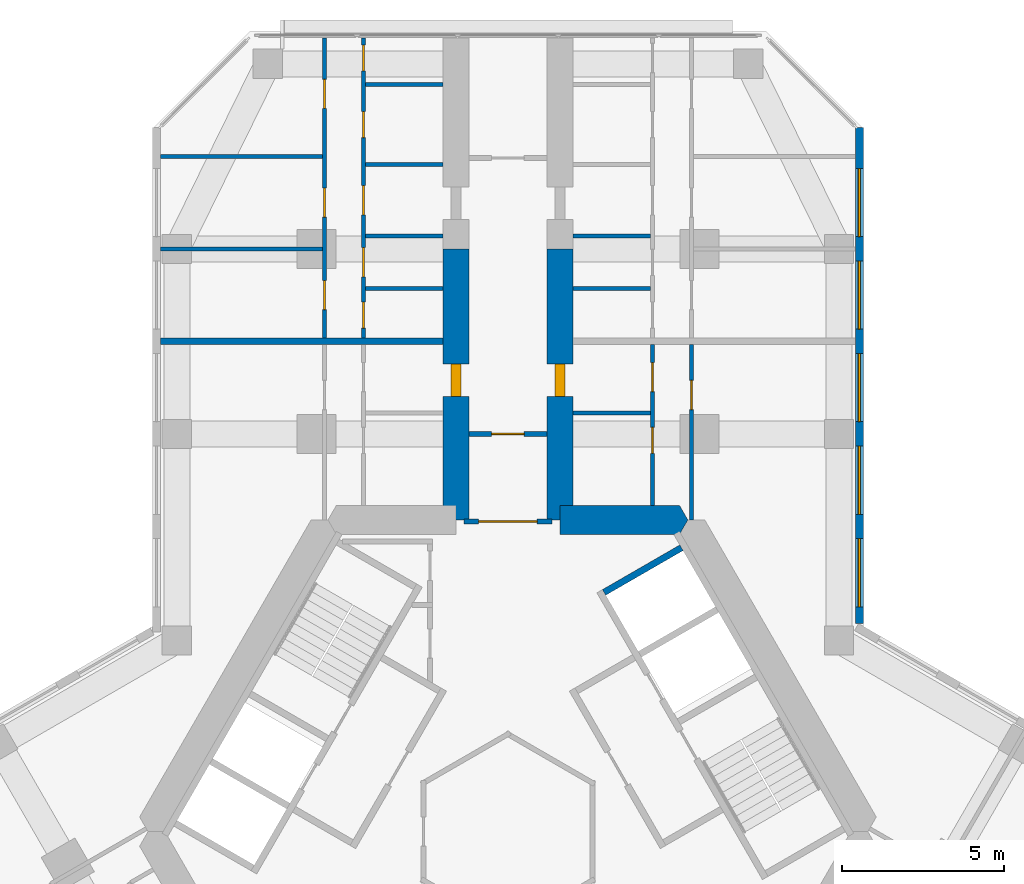
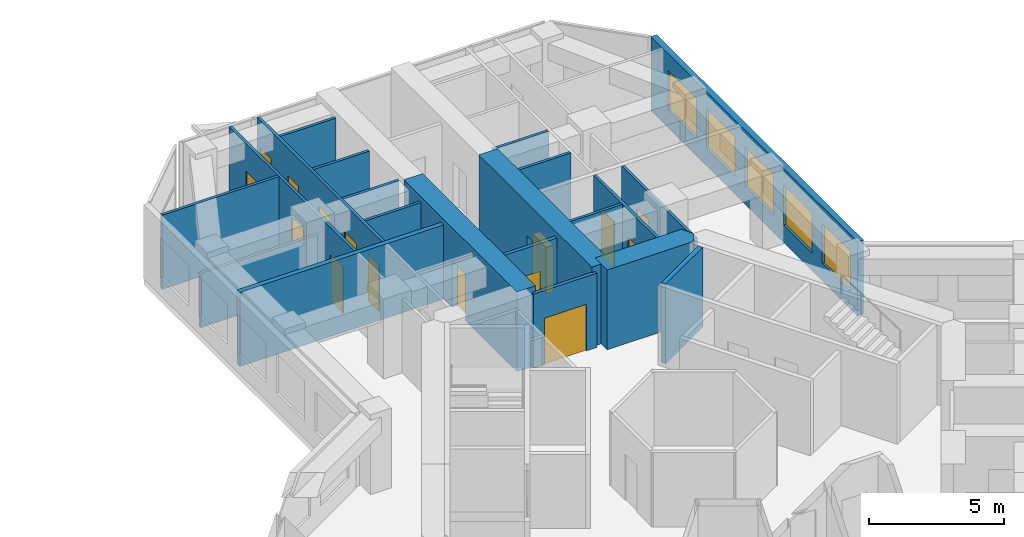
# One storey, part 17 of 19: 21 walls, 15 doors, 5 windows, 20 openings.
"""IFC4 building model written with IfcOpenShell, lengths in metres."""

from ifc_helpers import new_model, si_unit, direction, frame, frame_2d, origin, place, context, subcontext, project, spatial, polyline, rectangle, outline, extrude, material, layer, layer_set, type_object, element, fill, save


model = new_model("IFC4")

# Units and contexts
model_context = context("Model", 3, precision=1e-05, world=origin(), true_north=direction((0.0, 1.0)))
body_context = subcontext(model_context, "Body", "Model", "MODEL_VIEW")
ifc_project = project(units=[si_unit("LENGTHUNIT", "METRE"), si_unit("AREAUNIT", "SQUARE_METRE"), si_unit("VOLUMEUNIT", "CUBIC_METRE"), si_unit("PLANEANGLEUNIT", "RADIAN"), si_unit("MASSUNIT", "GRAM", prefix="KILO")], contexts=[model_context])

# Site, building, storey
site_placement = place(None, origin())
site = spatial("IfcSite", under=ifc_project, at=site_placement, CompositionType="ELEMENT")
building_placement = place(site_placement, origin())
building = spatial("IfcBuilding", under=site, at=building_placement, Name="Kosmar Iwan School Tower", CompositionType="ELEMENT")
storey_placement = place(building_placement, frame((0.0, 0.0, 168.800048828125)))
storey = spatial("IfcBuildingStorey", under=building, at=storey_placement, Name="L42", CompositionType="ELEMENT", Elevation=168.800048828125)

# Wall
ifc_material_1 = material(Name="Concrete C50/60", Category="concrete")
ifc_layer_1 = layer(ifc_material_1, 0.89990234375)
ifc_layer_set_1 = layer_set([ifc_layer_1], Name="Core wall 900")
wall_type_1 = type_object("IfcWallType", Name="Core wall 900", PredefinedType="SHEAR", material=ifc_layer_set_1)
wall_1_placement = place(storey_placement, origin())
element("IfcWall", 1, at=wall_1_placement, inside=storey, type_object=wall_type_1, Name="Core wall F090a", PredefinedType="SHEAR", context=body_context, shape_type="SweptSolid", body=[
    extrude(outline(polyline([(1.60009765625, 9.14990234375), (5.28271484375, 9.14990234375), (5.54248046875, 9.60009765625), (5.28271484375, 10.050048828125), (1.60009765625, 10.050048828125), (1.60009765625, 9.14990234375)])), origin(), (0.0, 0.0, 1.0), 3.599853515625),
])

# Wall, opening, door
ifc_material_2 = material(Name="Concrete C50/60", Category="concrete")
ifc_layer_2 = layer(ifc_material_2, 0.800048828125)
ifc_layer_set_2 = layer_set([ifc_layer_2], Name="Corridor buttress wall 800")
wall_type_2 = type_object("IfcWallType", Name="Corridor buttress wall 800", PredefinedType="SHEAR", material=ifc_layer_set_2)
wall_2_placement = place(storey_placement, frame((-1.60009765625, 9.60009765625, 0.0), z_axis=(0.0, 0.0, 1.0), x_axis=(0.0, 1.0, 0.0)))
wall_2 = element("IfcWall", 2, at=wall_2_placement, inside=storey, type_object=wall_type_2, Name="Corridor wall AL", PredefinedType="SHEAR", context=body_context, shape_type="SweptSolid", body=[
    extrude(rectangle(XDim=8.349853515625, YDim=0.800048828125, at=frame_2d((4.1748046875, 0.0))), origin(), (0.0, 0.0, 1.0), 3.599853515625),
])
opening_1_placement = place(wall_2_placement, frame((3.800048828125, 0.0, 0.0)))
opening_1 = element("IfcOpeningElement", 3, at=opening_1_placement, cuts=wall_2, Name="Opening D1", PredefinedType="OPENING", context=body_context, shape_type="SweptSolid", body=[
    extrude(rectangle(XDim=1.0, YDim=2.10009765625, at=frame_2d((0.5, 1.050048828125))), frame((0.0, 0.412109375, 0.0), z_axis=(0.0, -1.0, 0.0), x_axis=(1.0, 0.0, 0.0)), (0.0, 0.0, 1.0), 0.823974609375),
])
ifc_material_3 = material(Name="Timber fire door in steel frame", Category="steel")
door_type_1 = type_object("IfcDoorType", Name="Flat entrance door 1000x2100", OperationType="SINGLE_SWING_LEFT", PredefinedType="DOOR", material=ifc_material_3)
door_1_placement = place(opening_1_placement, origin())
door_1 = element("IfcDoor", 4, at=door_1_placement, inside=storey, type_object=door_type_1, Name="Flat L42-AL1 entrance door", OperationType="SINGLE_SWING_LEFT", OverallHeight=2.10009765625, OverallWidth=1.0, PredefinedType="DOOR", context=body_context, shape_type="SweptSolid", body=[
    extrude(rectangle(XDim=1.0, YDim=2.10009765625, at=frame_2d((0.5, 1.050048828125))), frame((0.0, 0.14990234375, 0.0), z_axis=(0.0, -1.0, 0.0), x_axis=(1.0, 0.0, 0.0)), (0.0, 0.0, 1.0), 0.300048828125),
])
fill(opening_1, door_1)

wall_3_placement = place(storey_placement, frame((1.60009765625, 9.60009765625, 0.0), z_axis=(0.0, 0.0, 1.0), x_axis=(0.0, 1.0, 0.0)))
wall_3 = element("IfcWall", 5, at=wall_3_placement, inside=storey, type_object=wall_type_2, Name="Corridor wall AR", PredefinedType="SHEAR", context=body_context, shape_type="SweptSolid", body=[
    extrude(rectangle(XDim=8.349853515625, YDim=0.800048828125, at=frame_2d((4.1748046875, 0.0))), origin(), (0.0, 0.0, 1.0), 3.599853515625),
])
opening_2_placement = place(wall_3_placement, frame((3.800048828125, 0.0, 0.0)))
opening_2 = element("IfcOpeningElement", 6, at=opening_2_placement, cuts=wall_3, Name="Opening D1", PredefinedType="OPENING", context=body_context, shape_type="SweptSolid", body=[
    extrude(rectangle(XDim=1.0, YDim=2.10009765625, at=frame_2d((0.5, 1.050048828125))), frame((0.0, 0.412109375, 0.0), z_axis=(0.0, -1.0, 0.0), x_axis=(1.0, 0.0, 0.0)), (0.0, 0.0, 1.0), 0.823974609375),
])
door_2_placement = place(opening_2_placement, origin())
door_2 = element("IfcDoor", 7, at=door_2_placement, inside=storey, type_object=door_type_1, Name="Flat L42-AR1 entrance door", OperationType="SINGLE_SWING_LEFT", OverallHeight=2.10009765625, OverallWidth=1.0, PredefinedType="DOOR", context=body_context, shape_type="SweptSolid", body=[
    extrude(rectangle(XDim=1.0, YDim=2.10009765625, at=frame_2d((0.5, 1.050048828125))), frame((0.0, 0.14990234375, 0.0), z_axis=(0.0, -1.0, 0.0), x_axis=(1.0, 0.0, 0.0)), (0.0, 0.0, 1.0), 0.300048828125),
])
fill(opening_2, door_2)

ifc_material_4 = material(Name="Gypsum board on steel studs, fire-rated", Category="steel")
ifc_layer_3 = layer(ifc_material_4, 0.14990234375)
ifc_layer_set_3 = layer_set([ifc_layer_3], Name="Corridor end wall 150")
wall_type_3 = type_object("IfcWallType", Name="Corridor end wall 150", PredefinedType="PARTITIONING", material=ifc_layer_set_3)
wall_4_placement = place(storey_placement, frame((1.199951171875, 12.25, 0.0), z_axis=(0.0, 0.0, 1.0), x_axis=(-1.0, 0.0, 0.0)))
wall_4 = element("IfcWall", 8, at=wall_4_placement, inside=storey, type_object=wall_type_3, Name="Partition L42-A-HW", PredefinedType="PARTITIONING", context=body_context, shape_type="SweptSolid", body=[
    extrude(rectangle(XDim=2.39990234375, YDim=0.14990234375, at=frame_2d((1.199951171875, 0.0))), origin(), (0.0, 0.0, 1.0), 3.349853515625),
])
opening_3_placement = place(wall_4_placement, frame((0.699951171875, 0.0, 0.0)))
opening_3 = element("IfcOpeningElement", 9, at=opening_3_placement, cuts=wall_4, Name="Opening D13", PredefinedType="OPENING", context=body_context, shape_type="SweptSolid", body=[
    extrude(rectangle(XDim=1.0, YDim=2.10009765625, at=frame_2d((0.5, 1.050048828125))), frame((0.0, 0.0869140625, 0.0), z_axis=(0.0, -1.0, 0.0), x_axis=(1.0, 0.0, 0.0)), (0.0, 0.0, 1.0), 0.173828125),
])
ifc_material_5 = material(Name="Timber fire door with vision panel", Category="wood")
door_type_2 = type_object("IfcDoorType", Name="Corridor end door 1000x2100", OperationType="SINGLE_SWING_LEFT", PredefinedType="DOOR", material=ifc_material_5)
door_3_placement = place(opening_3_placement, origin())
door_3 = element("IfcDoor", 10, at=door_3_placement, inside=storey, type_object=door_type_2, Name="Hashti door L42-A", OperationType="SINGLE_SWING_RIGHT", OverallHeight=2.10009765625, OverallWidth=1.0, PredefinedType="DOOR", context=body_context, shape_type="SweptSolid", body=[
    extrude(rectangle(XDim=1.0, YDim=2.10009765625, at=frame_2d((0.5, 1.050048828125))), frame((0.0, 0.02490234375, 0.0), z_axis=(0.0, -1.0, 0.0), x_axis=(1.0, 0.0, 0.0)), (0.0, 0.0, 1.0), 0.050048828125),
])
fill(opening_3, door_3)

ifc_material_6 = material(Name="Steel framed glazed screen", Category="steel")
ifc_layer_4 = layer(ifc_material_6, 0.14990234375)
ifc_layer_set_4 = layer_set([ifc_layer_4], Name="Corridor screen wall 150")
wall_type_4 = type_object("IfcWallType", Name="Corridor screen wall 150", PredefinedType="PARTITIONING", material=ifc_layer_set_4)
wall_5_placement = place(storey_placement, frame((1.35009765625, 9.550048828125, 0.0), z_axis=(0.0, 0.0, 1.0), x_axis=(-1.0, 0.0, 0.0)))
wall_5 = element("IfcWall", 11, at=wall_5_placement, inside=storey, type_object=wall_type_4, Name="Corridor screen A L42", PredefinedType="PARTITIONING", context=body_context, shape_type="SweptSolid", body=[
    extrude(rectangle(XDim=2.7001953125, YDim=0.14990234375, at=frame_2d((1.35009765625, 0.0))), origin(), (0.0, 0.0, 1.0), 3.349853515625),
])
opening_4_placement = place(wall_5_placement, frame((0.449951171875, 0.0, 0.0)))
opening_4 = element("IfcOpeningElement", 12, at=opening_4_placement, cuts=wall_5, Name="Opening D9", PredefinedType="OPENING", context=body_context, shape_type="SweptSolid", body=[
    extrude(rectangle(XDim=1.800048828125, YDim=2.10009765625, at=frame_2d((0.89990234375, 1.050048828125))), frame((0.0, 0.0869140625, 0.0), z_axis=(0.0, -1.0, 0.0), x_axis=(1.0, 0.0, 0.0)), (0.0, 0.0, 1.0), 0.173828125),
])
ifc_material_7 = material(Name="Steel framed glazed smoke door", Category="steel")
door_type_3 = type_object("IfcDoorType", Name="Corridor smoke door pair 1800x2100", OperationType="DOUBLE_DOOR_DOUBLE_SWING", PredefinedType="DOOR", material=ifc_material_7)
door_4_placement = place(opening_4_placement, origin())
door_4 = element("IfcDoor", 13, at=door_4_placement, inside=storey, type_object=door_type_3, Name="Corridor doors A L42", OperationType="DOUBLE_DOOR_DOUBLE_SWING", OverallHeight=2.10009765625, OverallWidth=1.800048828125, PredefinedType="DOOR", context=body_context, shape_type="SweptSolid", body=[
    extrude(rectangle(XDim=1.800048828125, YDim=2.10009765625, at=frame_2d((0.89990234375, 1.050048828125))), frame((0.0, 0.02490234375, 0.0), z_axis=(0.0, -1.0, 0.0), x_axis=(1.0, 0.0, 0.0)), (0.0, 0.0, 1.0), 0.050048828125),
])
fill(opening_4, door_4)

# Wall, openings, doors
ifc_material_8 = material(Name="Gypsum board on steel studs", Category="steel")
ifc_layer_5 = layer(ifc_material_8, 0.1201171875)
ifc_layer_set_5 = layer_set([ifc_layer_5], Name="Dwelling partition 120")
wall_type_5 = type_object("IfcWallType", Name="Dwelling partition 120", PredefinedType="PARTITIONING", material=ifc_layer_set_5)
wall_6_placement = place(storey_placement, frame((-4.449951171875, 15.199951171875, 0.0), z_axis=(0.0, 0.0, 1.0), x_axis=(0.0, 1.0, 0.0)))
wall_6 = element("IfcWall", 14, at=wall_6_placement, inside=storey, type_object=wall_type_5, Name="Partition L42-AL2-W1", PredefinedType="PARTITIONING", context=body_context, shape_type="SweptSolid", body=[
    extrude(rectangle(XDim=9.2451171875, YDim=0.1201171875, at=frame_2d((4.62255859375, 0.0))), origin(), (0.0, 0.0, 1.0), 3.349853515625),
])
opening_5_placement = place(wall_6_placement, frame((0.3125, 0.0, 0.0)))
opening_5 = element("IfcOpeningElement", 15, at=opening_5_placement, cuts=wall_6, Name="Opening D3", PredefinedType="OPENING", context=body_context, shape_type="SweptSolid", body=[
    extrude(rectangle(XDim=0.800048828125, YDim=2.10009765625, at=frame_2d((0.39990234375, 1.050048828125))), frame((0.0, 0.072021484375, 0.0), z_axis=(0.0, -1.0, 0.0), x_axis=(1.0, 0.0, 0.0)), (0.0, 0.0, 1.0), 0.14404296875),
])
opening_6_placement = place(wall_6_placement, frame((1.887451171875, 0.0, 0.0)))
opening_6 = element("IfcOpeningElement", 16, at=opening_6_placement, cuts=wall_6, Name="Opening D2", PredefinedType="OPENING", context=body_context, shape_type="SweptSolid", body=[
    extrude(rectangle(XDim=0.89990234375, YDim=2.10009765625, at=frame_2d((0.449951171875, 1.050048828125))), frame((0.0, 0.072021484375, 0.0), z_axis=(0.0, -1.0, 0.0), x_axis=(1.0, 0.0, 0.0)), (0.0, 0.0, 1.0), 0.14404296875),
])
opening_7_placement = place(wall_6_placement, frame((3.800048828125, 0.0, 0.0)))
opening_7 = element("IfcOpeningElement", 17, at=opening_7_placement, cuts=wall_6, Name="Opening D2", PredefinedType="OPENING", context=body_context, shape_type="SweptSolid", body=[
    extrude(rectangle(XDim=0.89990234375, YDim=2.10009765625, at=frame_2d((0.449951171875, 1.050048828125))), frame((0.0, 0.072021484375, 0.0), z_axis=(0.0, -1.0, 0.0), x_axis=(1.0, 0.0, 0.0)), (0.0, 0.0, 1.0), 0.14404296875),
])
opening_8_placement = place(wall_6_placement, frame((6.179931640625, 0.0, 0.0)))
opening_8 = element("IfcOpeningElement", 18, at=opening_8_placement, cuts=wall_6, Name="Opening D3", PredefinedType="OPENING", context=body_context, shape_type="SweptSolid", body=[
    extrude(rectangle(XDim=0.800048828125, YDim=2.10009765625, at=frame_2d((0.39990234375, 1.050048828125))), frame((0.0, 0.072021484375, 0.0), z_axis=(0.0, -1.0, 0.0), x_axis=(1.0, 0.0, 0.0)), (0.0, 0.0, 1.0), 0.14404296875),
])
opening_9_placement = place(wall_6_placement, frame((8.22998046875, 0.0, 0.0)))
opening_9 = element("IfcOpeningElement", 19, at=opening_9_placement, cuts=wall_6, Name="Opening D3", PredefinedType="OPENING", context=body_context, shape_type="SweptSolid", body=[
    extrude(rectangle(XDim=0.800048828125, YDim=2.10009765625, at=frame_2d((0.39990234375, 1.050048828125))), frame((0.0, 0.072021484375, 0.0), z_axis=(0.0, -1.0, 0.0), x_axis=(1.0, 0.0, 0.0)), (0.0, 0.0, 1.0), 0.14404296875),
])
ifc_material_9 = material(Name="Timber door in timber frame", Category="wood")
door_type_4 = type_object("IfcDoorType", Name="Internal door 900x2100", OperationType="SINGLE_SWING_LEFT", PredefinedType="DOOR", material=ifc_material_9)
door_5_placement = place(opening_6_placement, frame((0.89990234375, 0.0, 0.0), z_axis=(0.0, 0.0, 1.0), x_axis=(-1.0, 0.0, 0.0)))
door_5 = element("IfcDoor", 20, at=door_5_placement, inside=storey, type_object=door_type_4, Name="Pantry door L42-AL2-S2", OperationType="SINGLE_SWING_RIGHT", OverallHeight=2.10009765625, OverallWidth=0.89990234375, PredefinedType="DOOR", context=body_context, shape_type="SweptSolid", body=[
    extrude(rectangle(XDim=0.89990234375, YDim=2.10009765625, at=frame_2d((0.449951171875, 1.050048828125))), frame((0.0, 0.02490234375, 0.0), z_axis=(0.0, -1.0, 0.0), x_axis=(1.0, 0.0, 0.0)), (0.0, 0.0, 1.0), 0.050048828125),
])
fill(opening_6, door_5)
door_6_placement = place(opening_7_placement, origin())
door_6 = element("IfcDoor", 21, at=door_6_placement, inside=storey, type_object=door_type_4, Name="Entrance hall door L42-AL2-S3", OperationType="SINGLE_SWING_LEFT", OverallHeight=2.10009765625, OverallWidth=0.89990234375, PredefinedType="DOOR", context=body_context, shape_type="SweptSolid", body=[
    extrude(rectangle(XDim=0.89990234375, YDim=2.10009765625, at=frame_2d((0.449951171875, 1.050048828125))), frame((0.0, 0.02490234375, 0.0), z_axis=(0.0, -1.0, 0.0), x_axis=(1.0, 0.0, 0.0)), (0.0, 0.0, 1.0), 0.050048828125),
])
fill(opening_7, door_6)
ifc_material_10 = material(Name="Timber door in timber frame", Category="wood")
door_type_5 = type_object("IfcDoorType", Name="Sanitary room door 800x2100", OperationType="SINGLE_SWING_LEFT", PredefinedType="DOOR", material=ifc_material_10)
door_7_placement = place(opening_5_placement, origin())
door_7 = element("IfcDoor", 22, at=door_7_placement, inside=storey, type_object=door_type_5, Name="Store door L42-AL2-S1", OperationType="SINGLE_SWING_LEFT", OverallHeight=2.10009765625, OverallWidth=0.800048828125, PredefinedType="DOOR", context=body_context, shape_type="SweptSolid", body=[
    extrude(rectangle(XDim=0.800048828125, YDim=2.10009765625, at=frame_2d((0.39990234375, 1.050048828125))), frame((0.0, 0.02490234375, 0.0), z_axis=(0.0, -1.0, 0.0), x_axis=(1.0, 0.0, 0.0)), (0.0, 0.0, 1.0), 0.050048828125),
])
fill(opening_5, door_7)
door_8_placement = place(opening_8_placement, origin())
door_8 = element("IfcDoor", 23, at=door_8_placement, inside=storey, type_object=door_type_5, Name="Bathroom door L42-AL2-S4", OperationType="SINGLE_SWING_RIGHT", OverallHeight=2.10009765625, OverallWidth=0.800048828125, PredefinedType="DOOR", context=body_context, shape_type="SweptSolid", body=[
    extrude(rectangle(XDim=0.800048828125, YDim=2.10009765625, at=frame_2d((0.39990234375, 1.050048828125))), frame((0.0, 0.02490234375, 0.0), z_axis=(0.0, -1.0, 0.0), x_axis=(1.0, 0.0, 0.0)), (0.0, 0.0, 1.0), 0.050048828125),
])
fill(opening_8, door_8)
door_9_placement = place(opening_9_placement, origin())
door_9 = element("IfcDoor", 24, at=door_9_placement, inside=storey, type_object=door_type_5, Name="WC door L42-AL2-S5", OperationType="SINGLE_SWING_RIGHT", OverallHeight=2.10009765625, OverallWidth=0.800048828125, PredefinedType="DOOR", context=body_context, shape_type="SweptSolid", body=[
    extrude(rectangle(XDim=0.800048828125, YDim=2.10009765625, at=frame_2d((0.39990234375, 1.050048828125))), frame((0.0, 0.02490234375, 0.0), z_axis=(0.0, -1.0, 0.0), x_axis=(1.0, 0.0, 0.0)), (0.0, 0.0, 1.0), 0.050048828125),
])
fill(opening_9, door_9)

wall_7_placement = place(storey_placement, frame((-5.64990234375, 15.199951171875, 0.0), z_axis=(0.0, 0.0, 1.0), x_axis=(0.0, 1.0, 0.0)))
wall_7 = element("IfcWall", 25, at=wall_7_placement, inside=storey, type_object=wall_type_5, Name="Partition L42-AL2-W2", PredefinedType="PARTITIONING", context=body_context, shape_type="SweptSolid", body=[
    extrude(rectangle(XDim=9.2451171875, YDim=0.1201171875, at=frame_2d((4.62255859375, 0.0))), origin(), (0.0, 0.0, 1.0), 3.349853515625),
])
opening_10_placement = place(wall_7_placement, frame((0.875, 0.0, 0.0)))
opening_10 = element("IfcOpeningElement", 26, at=opening_10_placement, cuts=wall_7, Name="Opening D2", PredefinedType="OPENING", context=body_context, shape_type="SweptSolid", body=[
    extrude(rectangle(XDim=0.89990234375, YDim=2.10009765625, at=frame_2d((0.449951171875, 1.050048828125))), frame((0.0, 0.072021484375, 0.0), z_axis=(0.0, -1.0, 0.0), x_axis=(1.0, 0.0, 0.0)), (0.0, 0.0, 1.0), 0.14404296875),
])
opening_11_placement = place(wall_7_placement, frame((3.72509765625, 0.0, 0.0)))
opening_11 = element("IfcOpeningElement", 27, at=opening_11_placement, cuts=wall_7, Name="Opening D2", PredefinedType="OPENING", context=body_context, shape_type="SweptSolid", body=[
    extrude(rectangle(XDim=0.89990234375, YDim=2.10009765625, at=frame_2d((0.449951171875, 1.050048828125))), frame((0.0, 0.072021484375, 0.0), z_axis=(0.0, -1.0, 0.0), x_axis=(1.0, 0.0, 0.0)), (0.0, 0.0, 1.0), 0.14404296875),
])
opening_12_placement = place(wall_7_placement, frame((7.074951171875, 0.0, 0.0)))
opening_12 = element("IfcOpeningElement", 28, at=opening_12_placement, cuts=wall_7, Name="Opening D2", PredefinedType="OPENING", context=body_context, shape_type="SweptSolid", body=[
    extrude(rectangle(XDim=0.89990234375, YDim=2.10009765625, at=frame_2d((0.449951171875, 1.050048828125))), frame((0.0, 0.072021484375, 0.0), z_axis=(0.0, -1.0, 0.0), x_axis=(1.0, 0.0, 0.0)), (0.0, 0.0, 1.0), 0.14404296875),
])
door_10_placement = place(opening_10_placement, origin())
door_10 = element("IfcDoor", 29, at=door_10_placement, inside=storey, type_object=door_type_4, Name="Living room door L42-AL2-F1", OperationType="SINGLE_SWING_RIGHT", OverallHeight=2.10009765625, OverallWidth=0.89990234375, PredefinedType="DOOR", context=body_context, shape_type="SweptSolid", body=[
    extrude(rectangle(XDim=0.89990234375, YDim=2.10009765625, at=frame_2d((0.449951171875, 1.050048828125))), frame((0.0, 0.02490234375, 0.0), z_axis=(0.0, -1.0, 0.0), x_axis=(1.0, 0.0, 0.0)), (0.0, 0.0, 1.0), 0.050048828125),
])
fill(opening_10, door_10)
door_11_placement = place(opening_11_placement, origin())
door_11 = element("IfcDoor", 30, at=door_11_placement, inside=storey, type_object=door_type_4, Name="Kitchen and dining room door L42-AL2-F2", OperationType="SINGLE_SWING_LEFT", OverallHeight=2.10009765625, OverallWidth=0.89990234375, PredefinedType="DOOR", context=body_context, shape_type="SweptSolid", body=[
    extrude(rectangle(XDim=0.89990234375, YDim=2.10009765625, at=frame_2d((0.449951171875, 1.050048828125))), frame((0.0, 0.02490234375, 0.0), z_axis=(0.0, -1.0, 0.0), x_axis=(1.0, 0.0, 0.0)), (0.0, 0.0, 1.0), 0.050048828125),
])
fill(opening_11, door_11)
door_12_placement = place(opening_12_placement, origin())
door_12 = element("IfcDoor", 31, at=door_12_placement, inside=storey, type_object=door_type_4, Name="Bedroom 1 door L42-AL2-F3", OperationType="SINGLE_SWING_RIGHT", OverallHeight=2.10009765625, OverallWidth=0.89990234375, PredefinedType="DOOR", context=body_context, shape_type="SweptSolid", body=[
    extrude(rectangle(XDim=0.89990234375, YDim=2.10009765625, at=frame_2d((0.449951171875, 1.050048828125))), frame((0.0, 0.02490234375, 0.0), z_axis=(0.0, -1.0, 0.0), x_axis=(1.0, 0.0, 0.0)), (0.0, 0.0, 1.0), 0.050048828125),
])
fill(opening_12, door_12)

# Walls
wall_8_placement = place(storey_placement, frame((-5.7099609375, 17.949951171875, 0.0), z_axis=(0.0, 0.0, 1.0), x_axis=(-1.0, 0.0, 0.0)))
element("IfcWall", 32, at=wall_8_placement, inside=storey, type_object=wall_type_5, Name="Partition L42-AL2-X1", PredefinedType="PARTITIONING", context=body_context, shape_type="SweptSolid", body=[
    extrude(rectangle(XDim=4.989990234375, YDim=0.1201171875, at=frame_2d((2.4951171875, 0.0))), origin(), (0.0, 0.0, 1.0), 2.449951171875),
])
wall_9_placement = place(storey_placement, frame((-5.7099609375, 20.800048828125, 0.0), z_axis=(0.0, 0.0, 1.0), x_axis=(-1.0, 0.0, 0.0)))
element("IfcWall", 33, at=wall_9_placement, inside=storey, type_object=wall_type_5, Name="Partition L42-AL2-X2", PredefinedType="PARTITIONING", context=body_context, shape_type="SweptSolid", body=[
    extrude(rectangle(XDim=4.989990234375, YDim=0.1201171875, at=frame_2d((2.4951171875, 0.0))), origin(), (0.0, 0.0, 1.0), 3.349853515625),
])
for number, where, z_axis, x_axis, name in (
    (34, (-2.0, 16.72509765625, 0.0), (0.0, 0.0, 1.0), (-1.0, 0.0, 0.0), "Partition L42-AL2-Y1"),
    (35, (-2.0, 18.35009765625, 0.0), (0.0, 0.0, 1.0), (-1.0, 0.0, 0.0), "Partition L42-AL2-Y2"),
    (36, (-2.0, 20.550048828125, 0.0), (0.0, 0.0, 1.0), (-1.0, 0.0, 0.0), "Partition L42-AL2-Y3"),
    (37, (-2.0, 23.010009765625, 0.0), (0.0, 0.0, 1.0), (-1.0, 0.0, 0.0), "Partition L42-AL2-Y4"),
):
    element("IfcWall", number, at=place(storey_placement, frame(where, z_axis=z_axis, x_axis=x_axis)), inside=storey, type_object=wall_type_5, Name=name, PredefinedType="PARTITIONING", context=body_context, shape_type="SweptSolid", body=[
        extrude(rectangle(XDim=2.389892578125, YDim=0.1201171875, at=frame_2d((1.19482421875, 0.0))), origin(), (0.0, 0.0, 1.0), 3.349853515625),
    ])

# Wall, openings, doors
wall_10_placement = place(storey_placement, frame((4.449951171875, 10.050048828125, 0.0), z_axis=(0.0, 0.0, 1.0), x_axis=(0.0, 1.0, 0.0)))
wall_10 = element("IfcWall", 38, at=wall_10_placement, inside=storey, type_object=wall_type_5, Name="Partition L42-AR1-W1", PredefinedType="PARTITIONING", context=body_context, shape_type="SweptSolid", body=[
    extrude(rectangle(XDim=4.949951171875, YDim=0.1201171875, at=frame_2d((2.47509765625, 0.0))), origin(), (0.0, 0.0, 1.0), 3.349853515625),
])
opening_13_placement = place(wall_10_placement, frame((1.60009765625, 0.0, 0.0)))
opening_13 = element("IfcOpeningElement", 39, at=opening_13_placement, cuts=wall_10, Name="Opening D3", PredefinedType="OPENING", context=body_context, shape_type="SweptSolid", body=[
    extrude(rectangle(XDim=0.800048828125, YDim=2.10009765625, at=frame_2d((0.39990234375, 1.050048828125))), frame((0.0, 0.072021484375, 0.0), z_axis=(0.0, -1.0, 0.0), x_axis=(1.0, 0.0, 0.0)), (0.0, 0.0, 1.0), 0.14404296875),
])
opening_14_placement = place(wall_10_placement, frame((3.5, 0.0, 0.0)))
opening_14 = element("IfcOpeningElement", 40, at=opening_14_placement, cuts=wall_10, Name="Opening D2", PredefinedType="OPENING", context=body_context, shape_type="SweptSolid", body=[
    extrude(rectangle(XDim=0.89990234375, YDim=2.10009765625, at=frame_2d((0.449951171875, 1.050048828125))), frame((0.0, 0.072021484375, 0.0), z_axis=(0.0, -1.0, 0.0), x_axis=(1.0, 0.0, 0.0)), (0.0, 0.0, 1.0), 0.14404296875),
])
door_13_placement = place(opening_14_placement, origin())
door_13 = element("IfcDoor", 41, at=door_13_placement, inside=storey, type_object=door_type_4, Name="Entrance hall door L42-AR1-S2", OperationType="SINGLE_SWING_RIGHT", OverallHeight=2.10009765625, OverallWidth=0.89990234375, PredefinedType="DOOR", context=body_context, shape_type="SweptSolid", body=[
    extrude(rectangle(XDim=0.89990234375, YDim=2.10009765625, at=frame_2d((0.449951171875, 1.050048828125))), frame((0.0, 0.02490234375, 0.0), z_axis=(0.0, -1.0, 0.0), x_axis=(1.0, 0.0, 0.0)), (0.0, 0.0, 1.0), 0.050048828125),
])
fill(opening_14, door_13)
door_14_placement = place(opening_13_placement, origin())
door_14 = element("IfcDoor", 42, at=door_14_placement, inside=storey, type_object=door_type_5, Name="Bathroom door L42-AR1-S1", OperationType="SINGLE_SWING_RIGHT", OverallHeight=2.10009765625, OverallWidth=0.800048828125, PredefinedType="DOOR", context=body_context, shape_type="SweptSolid", body=[
    extrude(rectangle(XDim=0.800048828125, YDim=2.10009765625, at=frame_2d((0.39990234375, 1.050048828125))), frame((0.0, 0.02490234375, 0.0), z_axis=(0.0, -1.0, 0.0), x_axis=(1.0, 0.0, 0.0)), (0.0, 0.0, 1.0), 0.050048828125),
])
fill(opening_13, door_14)

# Wall, opening, door
wall_11_placement = place(storey_placement, frame((5.64990234375, 9.60009765625, 0.0), z_axis=(0.0, 0.0, 1.0), x_axis=(0.0, 1.0, 0.0)))
wall_11 = element("IfcWall", 43, at=wall_11_placement, inside=storey, type_object=wall_type_5, Name="Partition L42-AR1-W2", PredefinedType="PARTITIONING", context=body_context, shape_type="SweptSolid", body=[
    extrude(rectangle(XDim=5.39990234375, YDim=0.1201171875, at=frame_2d((2.699951171875, 0.0))), origin(), (0.0, 0.0, 1.0), 3.349853515625),
])
opening_15_placement = place(wall_11_placement, frame((3.39990234375, 0.0, 0.0)))
opening_15 = element("IfcOpeningElement", 44, at=opening_15_placement, cuts=wall_11, Name="Opening D2", PredefinedType="OPENING", context=body_context, shape_type="SweptSolid", body=[
    extrude(rectangle(XDim=0.89990234375, YDim=2.10009765625, at=frame_2d((0.449951171875, 1.050048828125))), frame((0.0, 0.072021484375, 0.0), z_axis=(0.0, -1.0, 0.0), x_axis=(1.0, 0.0, 0.0)), (0.0, 0.0, 1.0), 0.14404296875),
])
door_15_placement = place(opening_15_placement, origin())
door_15 = element("IfcDoor", 45, at=door_15_placement, inside=storey, type_object=door_type_4, Name="Studio living room and kitchen door L42-AR1-F1", OperationType="SINGLE_SWING_RIGHT", OverallHeight=2.10009765625, OverallWidth=0.89990234375, PredefinedType="DOOR", context=body_context, shape_type="SweptSolid", body=[
    extrude(rectangle(XDim=0.89990234375, YDim=2.10009765625, at=frame_2d((0.449951171875, 1.050048828125))), frame((0.0, 0.02490234375, 0.0), z_axis=(0.0, -1.0, 0.0), x_axis=(1.0, 0.0, 0.0)), (0.0, 0.0, 1.0), 0.050048828125),
])
fill(opening_15, door_15)

# Walls
for number, where, z_axis, x_axis, name in (
    (46, (2.0, 12.89990234375, 0.0), (0.0, 0.0, 1.0), (1.0, 0.0, 0.0), "Partition L42-AR1-Y1"),
    (47, (2.0, 16.72509765625, 0.0), (0.0, 0.0, 1.0), (1.0, 0.0, 0.0), "Partition L42-AR2-Y1"),
    (48, (2.0, 18.35009765625, 0.0), (0.0, 0.0, 1.0), (1.0, 0.0, 0.0), "Partition L42-AR2-Y2"),
):
    element("IfcWall", number, at=place(storey_placement, frame(where, z_axis=z_axis, x_axis=x_axis)), inside=storey, type_object=wall_type_5, Name=name, PredefinedType="PARTITIONING", context=body_context, shape_type="SweptSolid", body=[
        extrude(rectangle(XDim=2.389892578125, YDim=0.1201171875, at=frame_2d((1.19482421875, 0.0))), origin(), (0.0, 0.0, 1.0), 3.349853515625),
    ])

# Wall, openings, windows
ifc_material_11 = material(Name="Black aluminium rainscreen on insulated framing", Category="aluminium")
ifc_layer_6 = layer(ifc_material_11, 0.25)
ifc_layer_set_6 = layer_set([ifc_layer_6], Name="External wall rainscreen 250")
wall_type_6 = type_object("IfcWallType", Name="External wall rainscreen 250", PredefinedType="SOLIDWALL", material=ifc_layer_set_6)
wall_12_placement = place(storey_placement, frame((10.824951171875, 6.408935546875, 0.0), z_axis=(0.0, 0.0, 1.0), x_axis=(0.0, 1.0, 0.0)))
wall_12 = element("IfcWall", 49, at=wall_12_placement, inside=storey, type_object=wall_type_6, Name="External wall AR L42", PredefinedType="SOLIDWALL", context=body_context, shape_type="SweptSolid", body=[
    extrude(rectangle(XDim=15.2763671875, YDim=0.25, at=frame_2d((7.63818359375, 0.0))), origin(), (0.0, 0.0, 1.0), 3.349853515625),
])
opening_16_placement = place(wall_12_placement, frame((0.51611328125, 0.0, 0.800048828125)))
opening_16 = element("IfcOpeningElement", 50, at=opening_16_placement, cuts=wall_12, Name="Opening W4", PredefinedType="OPENING", context=body_context, shape_type="SweptSolid", body=[
    extrude(rectangle(XDim=2.10009765625, YDim=1.800048828125, at=frame_2d((1.050048828125, 0.89990234375))), frame((0.0, 0.136962890625, 0.0), z_axis=(0.0, -1.0, 0.0), x_axis=(1.0, 0.0, 0.0)), (0.0, 0.0, 1.0), 0.27392578125),
])
opening_17_placement = place(wall_12_placement, frame((3.365966796875, 0.0, 0.800048828125)))
opening_17 = element("IfcOpeningElement", 51, at=opening_17_placement, cuts=wall_12, Name="Opening W4", PredefinedType="OPENING", context=body_context, shape_type="SweptSolid", body=[
    extrude(rectangle(XDim=2.10009765625, YDim=1.800048828125, at=frame_2d((1.050048828125, 0.89990234375))), frame((0.0, 0.136962890625, 0.0), z_axis=(0.0, -1.0, 0.0), x_axis=(1.0, 0.0, 0.0)), (0.0, 0.0, 1.0), 0.27392578125),
])
opening_18_placement = place(wall_12_placement, frame((6.216064453125, 0.0, 0.800048828125)))
opening_18 = element("IfcOpeningElement", 52, at=opening_18_placement, cuts=wall_12, Name="Opening W4", PredefinedType="OPENING", context=body_context, shape_type="SweptSolid", body=[
    extrude(rectangle(XDim=2.10009765625, YDim=1.800048828125, at=frame_2d((1.050048828125, 0.89990234375))), frame((0.0, 0.136962890625, 0.0), z_axis=(0.0, -1.0, 0.0), x_axis=(1.0, 0.0, 0.0)), (0.0, 0.0, 1.0), 0.27392578125),
])
opening_19_placement = place(wall_12_placement, frame((9.06591796875, 0.0, 0.800048828125)))
opening_19 = element("IfcOpeningElement", 53, at=opening_19_placement, cuts=wall_12, Name="Opening W4", PredefinedType="OPENING", context=body_context, shape_type="SweptSolid", body=[
    extrude(rectangle(XDim=2.10009765625, YDim=1.800048828125, at=frame_2d((1.050048828125, 0.89990234375))), frame((0.0, 0.136962890625, 0.0), z_axis=(0.0, -1.0, 0.0), x_axis=(1.0, 0.0, 0.0)), (0.0, 0.0, 1.0), 0.27392578125),
])
opening_20_placement = place(wall_12_placement, frame((11.916015625, 0.0, 0.800048828125)))
opening_20 = element("IfcOpeningElement", 54, at=opening_20_placement, cuts=wall_12, Name="Opening W4", PredefinedType="OPENING", context=body_context, shape_type="SweptSolid", body=[
    extrude(rectangle(XDim=2.10009765625, YDim=1.800048828125, at=frame_2d((1.050048828125, 0.89990234375))), frame((0.0, 0.136962890625, 0.0), z_axis=(0.0, -1.0, 0.0), x_axis=(1.0, 0.0, 0.0)), (0.0, 0.0, 1.0), 0.27392578125),
])
ifc_material_12 = material(Name="Black aluminium frame with dark triple glazing", Category="aluminium")
window_type = type_object("IfcWindowType", Name="Window 2100x1800", PartitioningType="SINGLE_PANEL", PredefinedType="WINDOW", material=ifc_material_12)
window_1_placement = place(opening_16_placement, origin())
window_1 = element("IfcWindow", 55, at=window_1_placement, inside=storey, type_object=window_type, Name="Window AR L42 -1", OverallHeight=1.800048828125, OverallWidth=2.10009765625, PartitioningType="SINGLE_PANEL", PredefinedType="WINDOW", context=body_context, shape_type="SweptSolid", body=[
    extrude(rectangle(XDim=2.10009765625, YDim=1.800048828125, at=frame_2d((1.050048828125, 0.89990234375))), frame((0.0, 0.030029296875, 0.0), z_axis=(0.0, -1.0, 0.0), x_axis=(1.0, 0.0, 0.0)), (0.0, 0.0, 1.0), 0.06005859375),
])
fill(opening_16, window_1)
window_2_placement = place(opening_17_placement, origin())
window_2 = element("IfcWindow", 56, at=window_2_placement, inside=storey, type_object=window_type, Name="Window AR L42 0", OverallHeight=1.800048828125, OverallWidth=2.10009765625, PartitioningType="SINGLE_PANEL", PredefinedType="WINDOW", context=body_context, shape_type="SweptSolid", body=[
    extrude(rectangle(XDim=2.10009765625, YDim=1.800048828125, at=frame_2d((1.050048828125, 0.89990234375))), frame((0.0, 0.030029296875, 0.0), z_axis=(0.0, -1.0, 0.0), x_axis=(1.0, 0.0, 0.0)), (0.0, 0.0, 1.0), 0.06005859375),
])
fill(opening_17, window_2)
window_3_placement = place(opening_18_placement, origin())
window_3 = element("IfcWindow", 57, at=window_3_placement, inside=storey, type_object=window_type, Name="Window AR L42 1", OverallHeight=1.800048828125, OverallWidth=2.10009765625, PartitioningType="SINGLE_PANEL", PredefinedType="WINDOW", context=body_context, shape_type="SweptSolid", body=[
    extrude(rectangle(XDim=2.10009765625, YDim=1.800048828125, at=frame_2d((1.050048828125, 0.89990234375))), frame((0.0, 0.030029296875, 0.0), z_axis=(0.0, -1.0, 0.0), x_axis=(1.0, 0.0, 0.0)), (0.0, 0.0, 1.0), 0.06005859375),
])
fill(opening_18, window_3)
window_4_placement = place(opening_19_placement, origin())
window_4 = element("IfcWindow", 58, at=window_4_placement, inside=storey, type_object=window_type, Name="Window AR L42 2", OverallHeight=1.800048828125, OverallWidth=2.10009765625, PartitioningType="SINGLE_PANEL", PredefinedType="WINDOW", context=body_context, shape_type="SweptSolid", body=[
    extrude(rectangle(XDim=2.10009765625, YDim=1.800048828125, at=frame_2d((1.050048828125, 0.89990234375))), frame((0.0, 0.030029296875, 0.0), z_axis=(0.0, -1.0, 0.0), x_axis=(1.0, 0.0, 0.0)), (0.0, 0.0, 1.0), 0.06005859375),
])
fill(opening_19, window_4)
window_5_placement = place(opening_20_placement, origin())
window_5 = element("IfcWindow", 59, at=window_5_placement, inside=storey, type_object=window_type, Name="Window AR L42 3", OverallHeight=1.800048828125, OverallWidth=2.10009765625, PartitioningType="SINGLE_PANEL", PredefinedType="WINDOW", context=body_context, shape_type="SweptSolid", body=[
    extrude(rectangle(XDim=2.10009765625, YDim=1.800048828125, at=frame_2d((1.050048828125, 0.89990234375))), frame((0.0, 0.030029296875, 0.0), z_axis=(0.0, -1.0, 0.0), x_axis=(1.0, 0.0, 0.0)), (0.0, 0.0, 1.0), 0.06005859375),
])
fill(opening_20, window_5)

# Walls
ifc_material_13 = material(Name="Concrete C50/60", Category="concrete")
ifc_layer_7 = layer(ifc_material_13, 0.199951171875)
ifc_layer_set_7 = layer_set([ifc_layer_7], Name="Lift shaft wall 200")
wall_type_7 = type_object("IfcWallType", Name="Lift shaft wall 200", PredefinedType="SHEAR", material=ifc_layer_set_7)
wall_13_placement = place(storey_placement, frame((2.962646484375, 7.368408203125, 0.0), z_axis=(0.0, 0.0, 1.0), x_axis=(0.866027397988, 0.499996545922, 0.0)))
element("IfcWall", 60, at=wall_13_placement, inside=storey, type_object=wall_type_7, Name="Lift shaft wall AC 2", PredefinedType="SHEAR", context=body_context, shape_type="SweptSolid", body=[
    extrude(rectangle(XDim=2.75, YDim=0.199951171875, at=frame_2d((1.375, 0.0))), origin(), (0.0, 0.0, 1.0), 3.599853515625),
])
ifc_material_14 = material(Name="Concrete block masonry", Category="masonry")
ifc_layer_8 = layer(ifc_material_14, 0.199951171875)
ifc_layer_set_8 = layer_set([ifc_layer_8], Name="Party wall 200")
wall_type_8 = type_object("IfcWallType", Name="Party wall 200", PredefinedType="PARTITIONING", material=ifc_layer_set_8)
wall_14_placement = place(storey_placement, frame((-2.0, 15.10009765625, 0.0), z_axis=(0.0, 0.0, 1.0), x_axis=(-1.0, 0.0, 0.0)))
element("IfcWall", 61, at=wall_14_placement, inside=storey, type_object=wall_type_8, Name="Partition L42-AL2-PW", PredefinedType="PARTITIONING", context=body_context, shape_type="SweptSolid", body=[
    extrude(rectangle(XDim=8.699951171875, YDim=0.199951171875, at=frame_2d((4.35009765625, 0.0))), origin(), (0.0, 0.0, 1.0), 3.349853515625),
])

save(model, "model.ifc")
